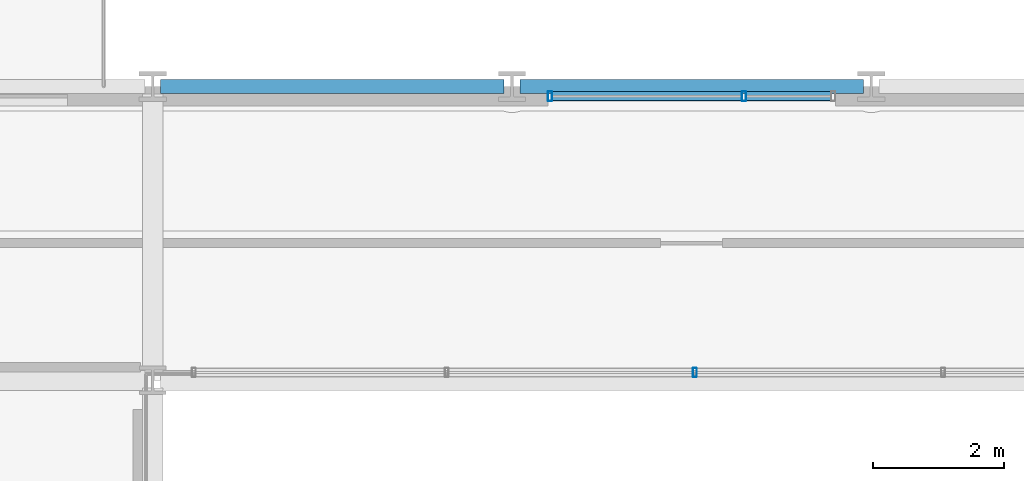
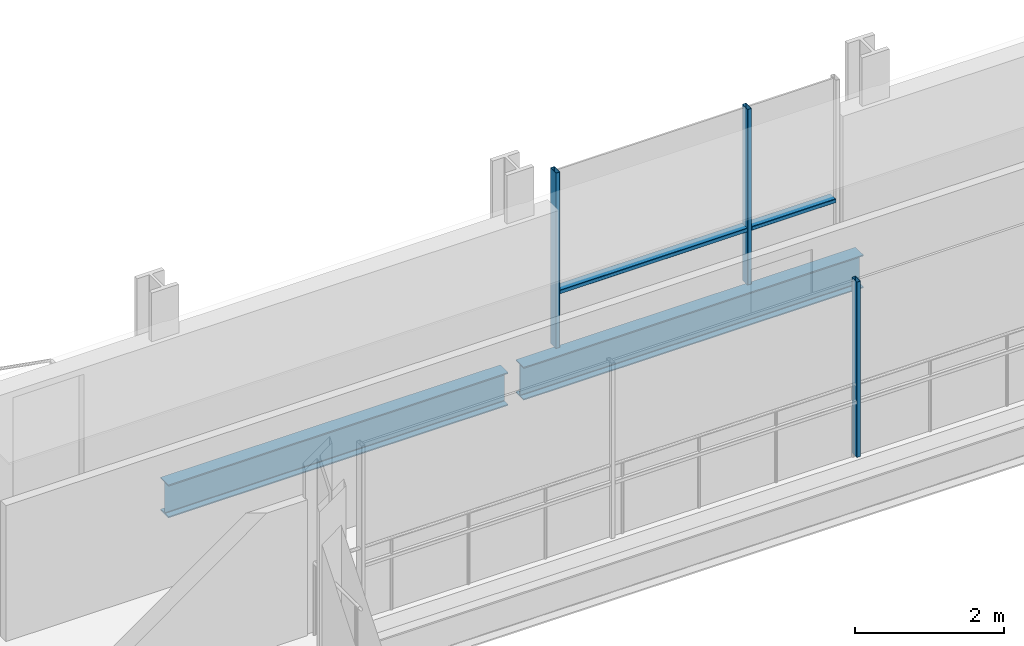
# One storey, part 11 of 39: 5 members, 2 beams, 2 elements without a shape of their own.
"""IFC4 building model written with IfcOpenShell, lengths in metres."""

from ifc_helpers import new_model, si_unit, direction, frame, origin, origin_2d, place, context, subcontext, project, spatial, hollow_rectangle, i_section, extrude, material, layer, layer_set, material_profile, profile_set, type_object, element, aggregate, save


model = new_model("IFC4")

# Units and contexts
model_context = context("Model", 3, precision=1e-05, world=origin(), true_north=direction((0.0, 1.0)))
body_context = subcontext(model_context, "Body", "Model", "MODEL_VIEW")
ifc_project = project(units=[si_unit("LENGTHUNIT", "METRE"), si_unit("AREAUNIT", "SQUARE_METRE"), si_unit("VOLUMEUNIT", "CUBIC_METRE"), si_unit("PLANEANGLEUNIT", "RADIAN"), si_unit("MASSUNIT", "GRAM", prefix="KILO")], contexts=[model_context])

# Site, building, storey
site_placement = place(None, origin())
site = spatial("IfcSite", under=ifc_project, at=site_placement, CompositionType="ELEMENT")
building_placement = place(site_placement, origin())
building = spatial("IfcBuilding", under=site, at=building_placement, Name="Brevholm Reach", CompositionType="ELEMENT")
storey_placement = place(building_placement, frame((0.0, 0.0, 83.800048828125)))
storey = spatial("IfcBuildingStorey", under=building, at=storey_placement, Name="L24", CompositionType="ELEMENT", Elevation=83.800048828125)

# Beams
ifc_material_1 = material(Name="Structural Steel S355J2", Category="steel")
ifc_material_profile_1 = material_profile(ifc_material_1, i_section(OverallWidth=0.210693359375, OverallDepth=0.53955078125, WebThickness=0.01171875, FlangeThickness=0.018798828125, FilletRadius=0.0126953125, at=origin_2d()), Name="UKB 533x210x109")
ifc_profile_set_1 = profile_set([ifc_material_profile_1], Name="Structural Steel S355J2")
beam_type = type_object("IfcBeamType", Name="BM-SP539", PredefinedType="SPANDREL", material=ifc_profile_set_1)
for number, where, z_axis, x_axis, name in (
    (1, (21.8701171875, 31.0, -0.499755859375), (1.0, 0.0, 0.0), (0.0, 1.0, 0.0), "L24 SP-01B Framing Beam"),
    (2, (27.3701171875, 31.0, -0.499755859375), (1.0, 0.0, 0.0), (0.0, 1.0, 0.0), "L24 SP-01B Framing Beam"),
):
    element("IfcBeam", number, at=place(storey_placement, frame(where, z_axis=z_axis, x_axis=x_axis)), inside=storey, type_object=beam_type, Name=name, PredefinedType="SPANDREL", context=body_context, shape_type="SweptSolid", body=[
        extrude(i_section(OverallWidth=0.210693359375, OverallDepth=0.53955078125, WebThickness=0.01171875, FlangeThickness=0.018798828125, FilletRadius=0.0126953125, at=origin_2d()), origin(), (0.0, 0.0, 1.0), 5.259765625),
    ])

# Curtain wall, member
ifc_material_2 = material(Name="Dark Anodised Aluminium 6063-T6 and Solar-Control Glass", Category="aluminium")
ifc_layer_1 = layer(ifc_material_2, 0.139892578125)
ifc_layer_set_1 = layer_set([ifc_layer_1], Name="Dark Anodised Aluminium 6063-T6 and Solar-Control Glass")
curtain_wall_type_1 = type_object("IfcCurtainWallType", Name="CW-02", PredefinedType="NOTDEFINED", material=ifc_layer_set_1)
curtain_wall_1_placement = place(storey_placement, origin())
curtain_wall_1 = element("IfcCurtainWall", 3, at=curtain_wall_1_placement, inside=storey, type_object=curtain_wall_type_1, Name="L24 Curtain Wall CW-02", PredefinedType="NOTDEFINED")
ifc_material_3 = material(Name="Dark Anodised Aluminium 6063-T6", Category="aluminium")
ifc_material_profile_2 = material_profile(ifc_material_3, hollow_rectangle(XDim=0.06005859375, YDim=0.139892578125, WallThickness=0.0048828125, InnerFilletRadius=0.0048828125, OuterFilletRadius=0.010009765625, at=origin_2d()), Name="RHS 140x60x5")
ifc_profile_set_2 = profile_set([ifc_material_profile_2], Name="Dark Anodised Aluminium 6063-T6")
member_type_1 = type_object("IfcMemberType", Name="CWM-140", PredefinedType="MULLION", material=ifc_profile_set_2)
member_1_placement = place(storey_placement, frame((30.050048828125, 26.6201171875, 0.0), z_axis=(0.0, 0.0, 1.0), x_axis=(-1.0, 0.0, 0.0)))
member_1 = element("IfcMember", 4, at=member_1_placement, type_object=member_type_1, Name="CM-140 Mullion 3", PredefinedType="MULLION", context=body_context, shape_type="SweptSolid", body=[
    extrude(hollow_rectangle(XDim=0.06005859375, YDim=0.139892578125, WallThickness=0.0048828125, InnerFilletRadius=0.0048828125, OuterFilletRadius=0.010009765625, at=origin_2d()), origin(), (0.0, 0.0, 1.0), 2.869873046875),
])
aggregate(curtain_wall_1, [member_1])

# Curtain wall, members
ifc_material_4 = material(Name="Dark Anodised Aluminium 6063-T6 and Solar-Control Glass", Category="aluminium")
ifc_layer_2 = layer(ifc_material_4, 0.14990234375)
ifc_layer_set_2 = layer_set([ifc_layer_2], Name="Dark Anodised Aluminium 6063-T6 and Solar-Control Glass")
curtain_wall_type_2 = type_object("IfcCurtainWallType", Name="CW-01", PredefinedType="NOTDEFINED", material=ifc_layer_set_2)
curtain_wall_2_placement = place(storey_placement, origin())
curtain_wall_2 = element("IfcCurtainWall", 5, at=curtain_wall_2_placement, inside=storey, type_object=curtain_wall_type_2, Name="L24 Curtain Wall CW-01", PredefinedType="NOTDEFINED")
ifc_material_5 = material(Name="Dark Anodised Aluminium 6063-T6", Category="aluminium")
ifc_material_profile_3 = material_profile(ifc_material_5, hollow_rectangle(XDim=0.06494140625, YDim=0.14990234375, WallThickness=0.0048828125, InnerFilletRadius=0.0048828125, OuterFilletRadius=0.010009765625, at=origin_2d()), Name="RHS 150x65x5")
ifc_profile_set_3 = profile_set([ifc_material_profile_3], Name="Dark Anodised Aluminium 6063-T6")
member_type_2 = type_object("IfcMemberType", Name="CWM-150", PredefinedType="MULLION", material=ifc_profile_set_3)
member_2_placement = place(storey_placement, frame((27.83251953125, 30.85009765625, 0.0), z_axis=(0.0, 0.0, 1.0), x_axis=(1.0, 0.0, 0.0)))
member_2 = element("IfcMember", 6, at=member_2_placement, type_object=member_type_2, Name="CM-150 Mullion 1", PredefinedType="MULLION", context=body_context, shape_type="SweptSolid", body=[
    extrude(hollow_rectangle(XDim=0.06494140625, YDim=0.14990234375, WallThickness=0.0048828125, InnerFilletRadius=0.0048828125, OuterFilletRadius=0.010009765625, at=origin_2d()), origin(), (0.0, 0.0, 1.0), 2.869873046875),
])
member_3_placement = place(storey_placement, frame((30.800048828125, 30.85009765625, 0.0), z_axis=(0.0, 0.0, 1.0), x_axis=(1.0, 0.0, 0.0)))
member_3 = element("IfcMember", 7, at=member_3_placement, type_object=member_type_2, Name="CM-150 Mullion 2", PredefinedType="MULLION", context=body_context, shape_type="SweptSolid", body=[
    extrude(hollow_rectangle(XDim=0.06494140625, YDim=0.14990234375, WallThickness=0.0048828125, InnerFilletRadius=0.0048828125, OuterFilletRadius=0.010009765625, at=origin_2d()), origin(), (0.0, 0.0, 1.0), 2.869873046875),
])
ifc_material_6 = material(Name="Dark Anodised Aluminium 6063-T6", Category="aluminium")
ifc_material_profile_4 = material_profile(ifc_material_6, hollow_rectangle(XDim=0.06494140625, YDim=0.14990234375, WallThickness=0.0048828125, InnerFilletRadius=0.0048828125, OuterFilletRadius=0.010009765625, at=origin_2d()), Name="RHS 150x65x5")
ifc_profile_set_4 = profile_set([ifc_material_profile_4], Name="Dark Anodised Aluminium 6063-T6")
member_type_3 = type_object("IfcMemberType", Name="CWT-150", PredefinedType="NOTDEFINED", material=ifc_profile_set_4)
member_4_placement = place(storey_placement, frame((27.864990234375, 30.85009765625, 0.89990234375), z_axis=(1.0, 0.0, 0.0), x_axis=(0.0, 0.0, 1.0)))
member_4 = element("IfcMember", 8, at=member_4_placement, type_object=member_type_3, Name="CT-150 Transom 1.1", ObjectType="TRANSOM", PredefinedType="USERDEFINED", context=body_context, shape_type="SweptSolid", body=[
    extrude(hollow_rectangle(XDim=0.06494140625, YDim=0.14990234375, WallThickness=0.0048828125, InnerFilletRadius=0.0048828125, OuterFilletRadius=0.010009765625, at=origin_2d()), origin(), (0.0, 0.0, 1.0), 2.902587890625),
])
member_5_placement = place(storey_placement, frame((30.83251953125, 30.85009765625, 0.89990234375), z_axis=(1.0, 0.0, 0.0), x_axis=(0.0, 0.0, 1.0)))
member_5 = element("IfcMember", 9, at=member_5_placement, type_object=member_type_3, Name="CT-150 Transom 2.1", ObjectType="TRANSOM", PredefinedType="USERDEFINED", context=body_context, shape_type="SweptSolid", body=[
    extrude(hollow_rectangle(XDim=0.06494140625, YDim=0.14990234375, WallThickness=0.0048828125, InnerFilletRadius=0.0048828125, OuterFilletRadius=0.010009765625, at=origin_2d()), origin(), (0.0, 0.0, 1.0), 1.302490234375),
])
aggregate(curtain_wall_2, [member_2, member_3, member_4, member_5])

save(model, "model.ifc")
